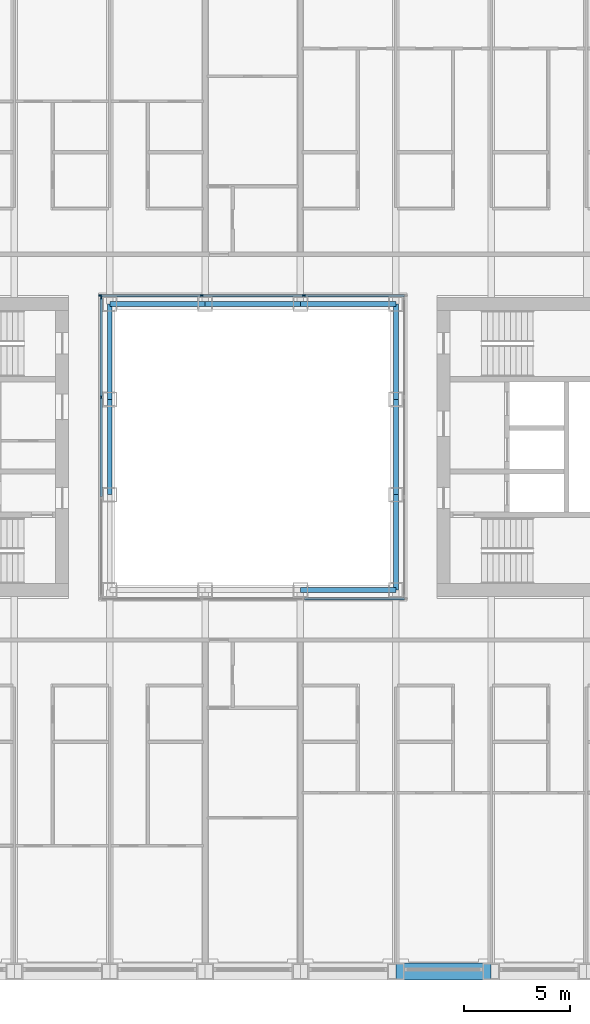
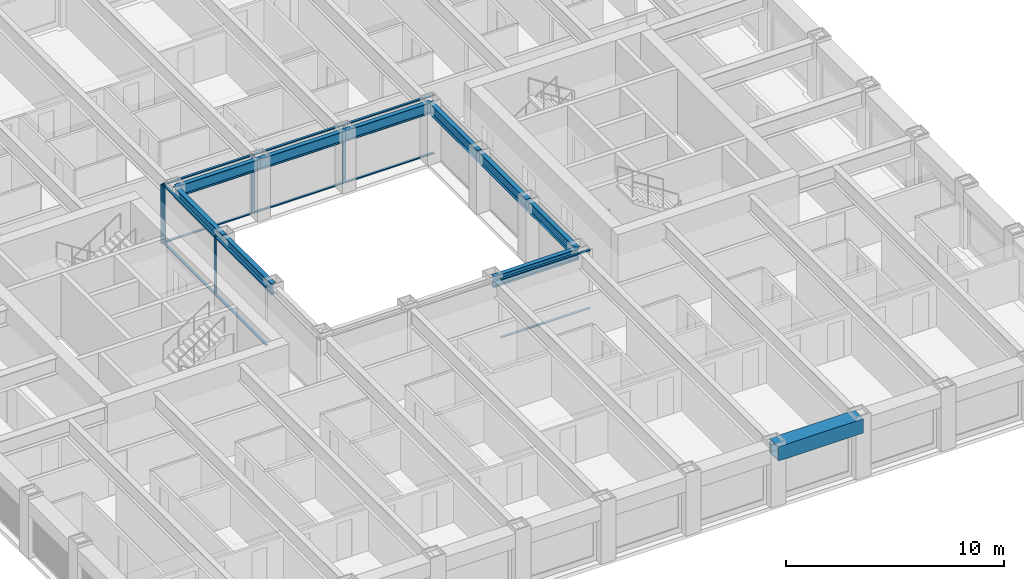
# One storey, part 4 of 21: 17 members, 10 beams, 3 elements without a shape of their own.
"""IFC4 building model written with IfcOpenShell, lengths in metres."""

from ifc_helpers import new_model, si_unit, direction, frame, origin, origin_2d, place, context, subcontext, project, spatial, rectangle, hollow_rectangle, i_section, extrude, material, material_profile, profile_set, type_object, element, aggregate, save


model = new_model("IFC4")

# Units and contexts
model_context = context("Model", 3, precision=1e-05, world=origin(), true_north=direction((0.0, 1.0)))
body_context = subcontext(model_context, "Body", "Model", "MODEL_VIEW")
ifc_project = project(units=[si_unit("LENGTHUNIT", "METRE"), si_unit("AREAUNIT", "SQUARE_METRE"), si_unit("VOLUMEUNIT", "CUBIC_METRE"), si_unit("PLANEANGLEUNIT", "RADIAN"), si_unit("MASSUNIT", "GRAM", prefix="KILO")], contexts=[model_context])

# Site, building, storey
site_placement = place(None, origin())
site = spatial("IfcSite", under=ifc_project, at=site_placement, CompositionType="ELEMENT")
building_placement = place(site_placement, origin())
building = spatial("IfcBuilding", under=site, at=building_placement, Name="Msasa Ring Tower", CompositionType="ELEMENT")
storey_placement = place(building_placement, frame((0.0, 0.0, 100.0)))
storey = spatial("IfcBuildingStorey", under=building, at=storey_placement, Name="L26", CompositionType="ELEMENT", Elevation=100.0)

# Curtain wall, members
ifc_material_1 = material(Name="Aluminium curtain wall with clear glass", Category="aluminium")
curtain_wall_type = type_object("IfcCurtainWallType", Name="CW-W LIGHT WELL CURTAIN WALL", PredefinedType="NOTDEFINED", material=ifc_material_1)
curtain_wall_1_placement = place(storey_placement, origin())
curtain_wall_1 = element("IfcCurtainWall", 1, at=curtain_wall_1_placement, inside=storey, type_object=curtain_wall_type, Name="Light well curtain wall N L26", PredefinedType="NOTDEFINED")
ifc_material_2 = material(Name="Aluminium mullion", Category="aluminium")
ifc_material_profile_1 = material_profile(ifc_material_2, rectangle(XDim=0.06005859375, YDim=0.159912109375, at=origin_2d()), Name="AL 60x160")
ifc_profile_set_1 = profile_set([ifc_material_profile_1], Name="Aluminium mullion")
member_type_1 = type_object("IfcMemberType", Name="CW-W MULLION 60x160", PredefinedType="MULLION", material=ifc_profile_set_1)
member_1_placement = place(storey_placement, frame((-7.199951171875, 7.14990234375, 0.0), z_axis=(0.0, 0.0, 1.0), x_axis=(0.0, 1.0, 0.0)))
member_1 = element("IfcMember", 2, at=member_1_placement, type_object=member_type_1, Name="CW-W mullion 1", PredefinedType="MULLION", context=body_context, shape_type="SweptSolid", body=[
    extrude(rectangle(XDim=0.06005859375, YDim=0.159912109375, at=origin_2d()), origin(), (0.0, 0.0, 1.0), 3.300048828125),
])
member_2_placement = place(storey_placement, frame((-2.409912109375, 7.14990234375, 0.0), z_axis=(0.0, 0.0, 1.0), x_axis=(0.0, 1.0, 0.0)))
member_2 = element("IfcMember", 3, at=member_2_placement, type_object=member_type_1, Name="CW-W mullion 2", PredefinedType="MULLION", context=body_context, shape_type="SweptSolid", body=[
    extrude(rectangle(XDim=0.06005859375, YDim=0.159912109375, at=origin_2d()), origin(), (0.0, 0.0, 1.0), 3.300048828125),
])
member_3_placement = place(storey_placement, frame((2.409912109375, 7.14990234375, 0.0), z_axis=(0.0, 0.0, 1.0), x_axis=(0.0, 1.0, 0.0)))
member_3 = element("IfcMember", 4, at=member_3_placement, type_object=member_type_1, Name="CW-W mullion 3", PredefinedType="MULLION", context=body_context, shape_type="SweptSolid", body=[
    extrude(rectangle(XDim=0.06005859375, YDim=0.159912109375, at=origin_2d()), origin(), (0.0, 0.0, 1.0), 3.300048828125),
])

curtain_wall_2_placement = place(storey_placement, origin())
curtain_wall_2 = element("IfcCurtainWall", 5, at=curtain_wall_2_placement, inside=storey, type_object=curtain_wall_type, Name="Light well curtain wall W L26", PredefinedType="NOTDEFINED")
member_4_placement = place(storey_placement, frame((-7.14990234375, 2.356689453125, 0.0), z_axis=(0.0, 0.0, 1.0), x_axis=(-1.0, 0.0, 0.0)))
member_4 = element("IfcMember", 6, at=member_4_placement, type_object=member_type_1, Name="CW-W mullion 3", PredefinedType="MULLION", context=body_context, shape_type="SweptSolid", body=[
    extrude(rectangle(XDim=0.06005859375, YDim=0.159912109375, at=origin_2d()), origin(), (0.0, 0.0, 1.0), 3.300048828125),
])
member_5_placement = place(storey_placement, frame((-7.14990234375, 7.0400390625, 0.0), z_axis=(0.0, 0.0, 1.0), x_axis=(-1.0, 0.0, 0.0)))
member_5 = element("IfcMember", 7, at=member_5_placement, type_object=member_type_1, Name="CW-W mullion 4", PredefinedType="MULLION", context=body_context, shape_type="SweptSolid", body=[
    extrude(rectangle(XDim=0.06005859375, YDim=0.159912109375, at=origin_2d()), origin(), (0.0, 0.0, 1.0), 3.300048828125),
])

# Member
ifc_material_3 = material(Name="Aluminium transom", Category="aluminium")
ifc_material_profile_2 = material_profile(ifc_material_3, rectangle(XDim=0.1201171875, YDim=0.06005859375, at=origin_2d()), Name="AL 60x120")
ifc_profile_set_2 = profile_set([ifc_material_profile_2], Name="Aluminium transom")
member_type_2 = type_object("IfcMemberType", Name="CW-W TRANSOM 60x120", PredefinedType="USERDEFINED", material=ifc_profile_set_2)
member_6_placement = place(storey_placement, frame((-7.169921875, 7.14990234375, 0.030029296875), z_axis=(1.0, 0.0, 0.0), x_axis=(0.0, 1.0, 0.0)))
member_6 = element("IfcMember", 8, at=member_6_placement, type_object=member_type_2, Name="CW-W transom 1.1", ObjectType="TRANSOM", PredefinedType="USERDEFINED", context=body_context, shape_type="SweptSolid", body=[
    extrude(rectangle(XDim=0.1201171875, YDim=0.06005859375, at=origin_2d()), origin(), (0.0, 0.0, 1.0), 4.72998046875),
])

member_7_placement = place(storey_placement, frame((-7.169921875, 7.14990234375, 3.27001953125), z_axis=(1.0, 0.0, 0.0), x_axis=(0.0, 1.0, 0.0)))
member_7 = element("IfcMember", 9, at=member_7_placement, type_object=member_type_2, Name="CW-W transom 1.2", ObjectType="TRANSOM", PredefinedType="USERDEFINED", context=body_context, shape_type="SweptSolid", body=[
    extrude(rectangle(XDim=0.1201171875, YDim=0.06005859375, at=origin_2d()), origin(), (0.0, 0.0, 1.0), 4.72998046875),
])

member_8_placement = place(storey_placement, frame((-2.3798828125, 7.14990234375, 0.030029296875), z_axis=(1.0, 0.0, 0.0), x_axis=(0.0, 1.0, 0.0)))
member_8 = element("IfcMember", 10, at=member_8_placement, type_object=member_type_2, Name="CW-W transom 2.1", ObjectType="TRANSOM", PredefinedType="USERDEFINED", context=body_context, shape_type="SweptSolid", body=[
    extrude(rectangle(XDim=0.1201171875, YDim=0.06005859375, at=origin_2d()), origin(), (0.0, 0.0, 1.0), 4.759765625),
])

member_9_placement = place(storey_placement, frame((-2.3798828125, 7.14990234375, 3.27001953125), z_axis=(1.0, 0.0, 0.0), x_axis=(0.0, 1.0, 0.0)))
member_9 = element("IfcMember", 11, at=member_9_placement, type_object=member_type_2, Name="CW-W transom 2.2", ObjectType="TRANSOM", PredefinedType="USERDEFINED", context=body_context, shape_type="SweptSolid", body=[
    extrude(rectangle(XDim=0.1201171875, YDim=0.06005859375, at=origin_2d()), origin(), (0.0, 0.0, 1.0), 4.759765625),
])

member_10_placement = place(storey_placement, frame((2.43994140625, 7.14990234375, 0.030029296875), z_axis=(1.0, 0.0, 0.0), x_axis=(0.0, 1.0, 0.0)))
member_10 = element("IfcMember", 12, at=member_10_placement, type_object=member_type_2, Name="CW-W transom 3.1", ObjectType="TRANSOM", PredefinedType="USERDEFINED", context=body_context, shape_type="SweptSolid", body=[
    extrude(rectangle(XDim=0.1201171875, YDim=0.06005859375, at=origin_2d()), origin(), (0.0, 0.0, 1.0), 4.72998046875),
])

member_11_placement = place(storey_placement, frame((2.43994140625, 7.14990234375, 3.27001953125), z_axis=(1.0, 0.0, 0.0), x_axis=(0.0, 1.0, 0.0)))
member_11 = element("IfcMember", 13, at=member_11_placement, type_object=member_type_2, Name="CW-W transom 3.2", ObjectType="TRANSOM", PredefinedType="USERDEFINED", context=body_context, shape_type="SweptSolid", body=[
    extrude(rectangle(XDim=0.1201171875, YDim=0.06005859375, at=origin_2d()), origin(), (0.0, 0.0, 1.0), 4.72998046875),
])

aggregate(curtain_wall_1, [member_1, member_2, member_3, member_6, member_7, member_8, member_9, member_10, member_11])

# Curtain wall, members
curtain_wall_3_placement = place(storey_placement, origin())
curtain_wall_3 = element("IfcCurtainWall", 14, at=curtain_wall_3_placement, inside=storey, type_object=curtain_wall_type, Name="Light well curtain wall S L26", PredefinedType="NOTDEFINED")
member_12_placement = place(storey_placement, frame((2.43994140625, -7.14990234375, 0.030029296875), z_axis=(1.0, 0.0, 0.0), x_axis=(0.0, 1.0, 0.0)))
member_12 = element("IfcMember", 15, at=member_12_placement, type_object=member_type_2, Name="CW-W transom 3.1", ObjectType="TRANSOM", PredefinedType="USERDEFINED", context=body_context, shape_type="SweptSolid", body=[
    extrude(rectangle(XDim=0.1201171875, YDim=0.06005859375, at=origin_2d()), origin(), (0.0, 0.0, 1.0), 4.72998046875),
])
member_13_placement = place(storey_placement, frame((2.43994140625, -7.14990234375, 3.27001953125), z_axis=(1.0, 0.0, 0.0), x_axis=(0.0, 1.0, 0.0)))
member_13 = element("IfcMember", 16, at=member_13_placement, type_object=member_type_2, Name="CW-W transom 3.2", ObjectType="TRANSOM", PredefinedType="USERDEFINED", context=body_context, shape_type="SweptSolid", body=[
    extrude(rectangle(XDim=0.1201171875, YDim=0.06005859375, at=origin_2d()), origin(), (0.0, 0.0, 1.0), 4.72998046875),
])
aggregate(curtain_wall_3, [member_12, member_13])

# Member
member_14_placement = place(storey_placement, frame((-7.14990234375, -2.32666015625, 0.030029296875), z_axis=(0.0, 1.0, 0.0), x_axis=(-1.0, 0.0, 0.0)))
member_14 = element("IfcMember", 17, at=member_14_placement, type_object=member_type_2, Name="CW-W transom 2.1", ObjectType="TRANSOM", PredefinedType="USERDEFINED", context=body_context, shape_type="SweptSolid", body=[
    extrude(rectangle(XDim=0.1201171875, YDim=0.06005859375, at=origin_2d()), origin(), (0.0, 0.0, 1.0), 4.6533203125),
])

member_15_placement = place(storey_placement, frame((-7.14990234375, -2.32666015625, 3.27001953125), z_axis=(0.0, 1.0, 0.0), x_axis=(-1.0, 0.0, 0.0)))
member_15 = element("IfcMember", 18, at=member_15_placement, type_object=member_type_2, Name="CW-W transom 2.2", ObjectType="TRANSOM", PredefinedType="USERDEFINED", context=body_context, shape_type="SweptSolid", body=[
    extrude(rectangle(XDim=0.1201171875, YDim=0.06005859375, at=origin_2d()), origin(), (0.0, 0.0, 1.0), 4.6533203125),
])

member_16_placement = place(storey_placement, frame((-7.14990234375, 2.38671875, 0.030029296875), z_axis=(0.0, 1.0, 0.0), x_axis=(-1.0, 0.0, 0.0)))
member_16 = element("IfcMember", 19, at=member_16_placement, type_object=member_type_2, Name="CW-W transom 3.1", ObjectType="TRANSOM", PredefinedType="USERDEFINED", context=body_context, shape_type="SweptSolid", body=[
    extrude(rectangle(XDim=0.1201171875, YDim=0.06005859375, at=origin_2d()), origin(), (0.0, 0.0, 1.0), 4.623291015625),
])

member_17_placement = place(storey_placement, frame((-7.14990234375, 2.38671875, 3.27001953125), z_axis=(0.0, 1.0, 0.0), x_axis=(-1.0, 0.0, 0.0)))
member_17 = element("IfcMember", 20, at=member_17_placement, type_object=member_type_2, Name="CW-W transom 3.2", ObjectType="TRANSOM", PredefinedType="USERDEFINED", context=body_context, shape_type="SweptSolid", body=[
    extrude(rectangle(XDim=0.1201171875, YDim=0.06005859375, at=origin_2d()), origin(), (0.0, 0.0, 1.0), 4.623291015625),
])

aggregate(curtain_wall_2, [member_4, member_5, member_14, member_15, member_16, member_17])

# Beams
ifc_material_4 = material(Name="Steel S355", Category="steel")
ifc_material_profile_3 = material_profile(ifc_material_4, i_section(OverallWidth=0.230224609375, OverallDepth=0.6171875, WebThickness=0.01318359375, FlangeThickness=0.022216796875, FilletRadius=0.0126953125, at=origin_2d()), Name="UB 610x229x140")
ifc_profile_set_3 = profile_set([ifc_material_profile_3], Name="Steel S355")
beam_type_1 = type_object("IfcBeamType", Name="RB1 UB 610x229x140", PredefinedType="BEAM", material=ifc_profile_set_3)
for number, where, z_axis, x_axis, name in (
    (21, (2.25, -6.75, 2.991455078125), (1.0, 0.0, 0.0), (0.0, 1.0, 0.0), "Inner ring beam IR+2.25-6.75 under L27"),
    (22, (6.75, -6.75, 2.991455078125), (0.0, 1.0, 0.0), (-1.0, 0.0, 0.0), "Inner ring beam IR+6.75-6.75 under L27"),
    (23, (6.75, -2.25, 2.991455078125), (0.0, 1.0, 0.0), (-1.0, 0.0, 0.0), "Inner ring beam IR+6.75-2.25 under L27"),
    (24, (6.75, 2.25, 2.991455078125), (0.0, 1.0, 0.0), (-1.0, 0.0, 0.0), "Inner ring beam IR+6.75+2.25 under L27"),
    (25, (6.75, 6.75, 2.991455078125), (-1.0, 0.0, 0.0), (0.0, -1.0, 0.0), "Inner ring beam IR+6.75+6.75 under L27"),
    (26, (2.25, 6.75, 2.991455078125), (-1.0, 0.0, 0.0), (0.0, -1.0, 0.0), "Inner ring beam IR+2.25+6.75 under L27"),
    (27, (-2.25, 6.75, 2.991455078125), (-1.0, 0.0, 0.0), (0.0, -1.0, 0.0), "Inner ring beam IR-2.25+6.75 under L27"),
    (28, (-6.75, 6.75, 2.991455078125), (0.0, -1.0, 0.0), (1.0, 0.0, 0.0), "Inner ring beam IR-6.75+6.75 under L27"),
    (29, (-6.75, 2.25, 2.991455078125), (0.0, -1.0, 0.0), (1.0, 0.0, 0.0), "Inner ring beam IR-6.75+2.25 under L27"),
):
    element("IfcBeam", number, at=place(storey_placement, frame(where, z_axis=z_axis, x_axis=x_axis)), inside=storey, type_object=beam_type_1, Name=name, PredefinedType="BEAM", context=body_context, shape_type="SweptSolid", body=[
        extrude(i_section(OverallWidth=0.230224609375, OverallDepth=0.6171875, WebThickness=0.01318359375, FlangeThickness=0.022216796875, FilletRadius=0.0126953125, at=origin_2d()), origin(), (0.0, 0.0, 1.0), 4.5),
    ])
ifc_material_5 = material(Name="Steel S355", Category="steel")
ifc_material_profile_4 = material_profile(ifc_material_5, hollow_rectangle(XDim=0.800048828125, YDim=0.800048828125, WallThickness=0.06005859375, at=origin_2d()), Name="BOX 800x800x60")
ifc_profile_set_4 = profile_set([ifc_material_profile_4], Name="Steel S355")
beam_type_2 = type_object("IfcBeamType", Name="SB3 BOX 800x800x60", PredefinedType="SPANDREL", material=ifc_profile_set_4)
beam_placement = place(storey_placement, frame((6.75, -24.75, 2.89990234375), z_axis=(1.0, 0.0, 0.0), x_axis=(0.0, 1.0, 0.0)))
element("IfcBeam", 30, at=beam_placement, inside=storey, type_object=beam_type_2, Name="Spandrel S+6.75 to S+11.25 under L27", PredefinedType="SPANDREL", context=body_context, shape_type="SweptSolid", body=[
    extrude(hollow_rectangle(XDim=0.800048828125, YDim=0.800048828125, WallThickness=0.06005859375, at=origin_2d()), origin(), (0.0, 0.0, 1.0), 4.5),
])

save(model, "model.ifc")
